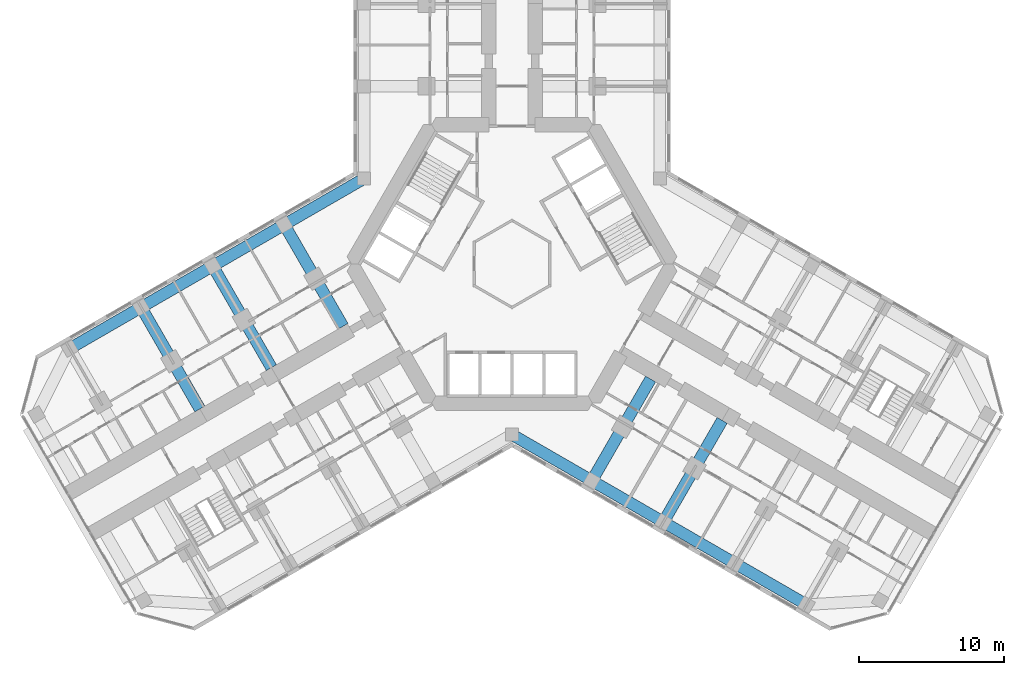
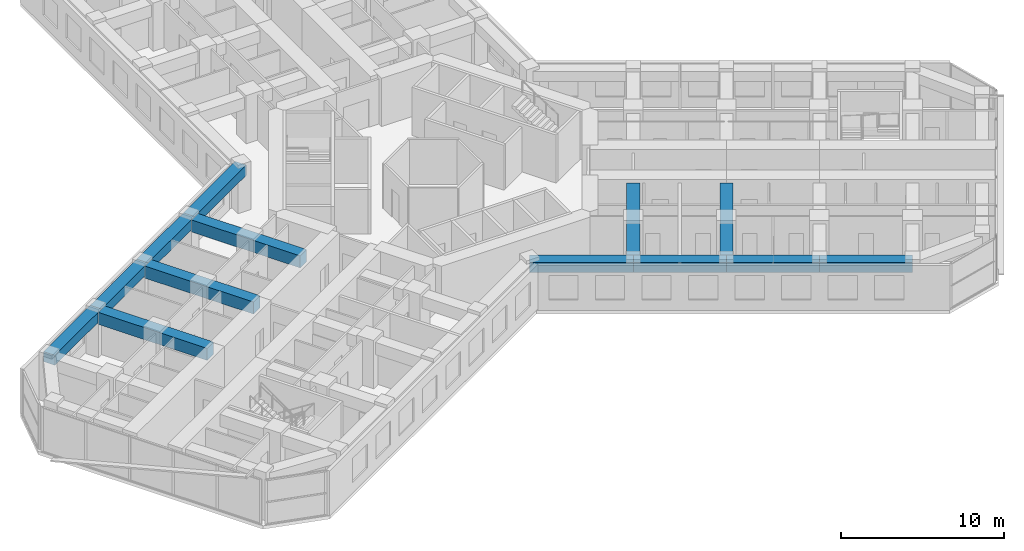
# One storey, part 4 of 21: 13 beams.
"""IFC4 building model written with IfcOpenShell, lengths in metres."""

from ifc_helpers import new_model, si_unit, direction, frame, origin, origin_2d, place, context, subcontext, project, spatial, rectangle, extrude, material, material_profile, profile_set, type_object, element, save


model = new_model("IFC4")

# Units and contexts
model_context = context("Model", 3, precision=1e-05, world=origin(), true_north=direction((0.0, 1.0)))
body_context = subcontext(model_context, "Body", "Model", "MODEL_VIEW")
ifc_project = project(units=[si_unit("LENGTHUNIT", "METRE"), si_unit("AREAUNIT", "SQUARE_METRE"), si_unit("VOLUMEUNIT", "CUBIC_METRE"), si_unit("PLANEANGLEUNIT", "RADIAN"), si_unit("MASSUNIT", "GRAM", prefix="KILO")], contexts=[model_context])

# Site, building, storey
site_placement = place(None, origin())
site = spatial("IfcSite", under=ifc_project, at=site_placement, CompositionType="ELEMENT")
building_placement = place(site_placement, origin())
building = spatial("IfcBuilding", under=site, at=building_placement, Name="Kosmar Iwan School Tower", CompositionType="ELEMENT")
storey_placement = place(building_placement, frame((0.0, 0.0, 84.39990234375)))
storey = spatial("IfcBuildingStorey", under=building, at=storey_placement, Name="L20", CompositionType="ELEMENT", Elevation=84.39990234375)

# Beams
ifc_material_1 = material(Name="Concrete C50/60", Category="concrete")
ifc_material_profile_1 = material_profile(ifc_material_1, rectangle(XDim=0.800048828125, YDim=0.75, at=origin_2d()), Name="RC 800x750")
ifc_profile_set_1 = profile_set([ifc_material_profile_1], Name="Concrete C50/60")
beam_type_1 = type_object("IfcBeamType", Name="RC edge beam 800x750", PredefinedType="BEAM", material=ifc_profile_set_1)
beam_1_placement = place(storey_placement, frame((-10.199951171875, 5.888916015625, 2.97509765625), z_axis=(-0.866030912664, -0.49999045822, 0.0), x_axis=(0.49999045822, -0.866030912664, 0.0)))
element("IfcBeam", 1, at=beam_1_placement, inside=storey, type_object=beam_type_1, Name="Edge beam BR1", PredefinedType="BEAM", context=body_context, shape_type="SweptSolid", body=[
    extrude(rectangle(XDim=0.800048828125, YDim=0.75, at=origin_2d()), origin(), (0.0, 0.0, 1.0), 6.36083984375),
])
beam_2_placement = place(storey_placement, frame((-15.708740234375, 2.70849609375, 2.97509765625), z_axis=(-0.866025820012, -0.499999279071, 0.0), x_axis=(0.499999279071, -0.866025820012, 0.0)))
element("IfcBeam", 2, at=beam_2_placement, inside=storey, type_object=beam_type_1, Name="Edge beam BR2", PredefinedType="BEAM", context=body_context, shape_type="SweptSolid", body=[
    extrude(rectangle(XDim=0.800048828125, YDim=0.75, at=origin_2d()), origin(), (0.0, 0.0, 1.0), 5.7001953125),
])
for number, where, z_axis, x_axis, name in (
    (3, (-20.645263671875, -0.1416015625, 2.97509765625), (-0.866033658841, -0.49998570155, 0.0), (0.49998570155, -0.866033658841, 0.0), "Edge beam BR3"),
    (4, (-25.58154296875, -2.991455078125, 2.97509765625), (-0.866015111908, -0.50001782563, 0.0), (0.50001782563, -0.866015111908, 0.0), "Edge beam BR4"),
):
    element("IfcBeam", number, at=place(storey_placement, frame(where, z_axis=z_axis, x_axis=x_axis)), inside=storey, type_object=beam_type_1, Name=name, PredefinedType="BEAM", context=body_context, shape_type="SweptSolid", body=[
        extrude(rectangle(XDim=0.800048828125, YDim=0.75, at=origin_2d()), origin(), (0.0, 0.0, 1.0), 5.699951171875),
    ])
beam_3_placement = place(storey_placement, frame((0.0, -11.77783203125, 2.97509765625), z_axis=(0.866014293216, -0.500019243575, 0.0), x_axis=(0.500019243575, 0.866014293216, 0.0)))
element("IfcBeam", 5, at=beam_3_placement, inside=storey, type_object=beam_type_1, Name="Edge beam CR1", PredefinedType="BEAM", context=body_context, shape_type="SweptSolid", body=[
    extrude(rectangle(XDim=0.800048828125, YDim=0.75, at=origin_2d()), origin(), (0.0, 0.0, 1.0), 6.361083984375),
])
beam_4_placement = place(storey_placement, frame((5.5087890625, -14.95849609375, 2.97509765625), z_axis=(0.866033658841, -0.49998570155, 0.0), x_axis=(0.49998570155, 0.866033658841, 0.0)))
element("IfcBeam", 6, at=beam_4_placement, inside=storey, type_object=beam_type_1, Name="Edge beam CR2", PredefinedType="BEAM", context=body_context, shape_type="SweptSolid", body=[
    extrude(rectangle(XDim=0.800048828125, YDim=0.75, at=origin_2d()), origin(), (0.0, 0.0, 1.0), 5.699951171875),
])
beam_5_placement = place(storey_placement, frame((10.445068359375, -17.808349609375, 2.97509765625), z_axis=(0.866025820012, -0.499999279071, 0.0), x_axis=(0.499999279071, 0.866025820012, 0.0)))
element("IfcBeam", 7, at=beam_5_placement, inside=storey, type_object=beam_type_1, Name="Edge beam CR3", PredefinedType="BEAM", context=body_context, shape_type="SweptSolid", body=[
    extrude(rectangle(XDim=0.800048828125, YDim=0.75, at=origin_2d()), origin(), (0.0, 0.0, 1.0), 5.7001953125),
])
beam_6_placement = place(storey_placement, frame((15.381591796875, -20.658447265625, 2.97509765625), z_axis=(0.866015111908, -0.50001782563, 0.0), x_axis=(0.50001782563, 0.866015111908, 0.0)))
element("IfcBeam", 8, at=beam_6_placement, inside=storey, type_object=beam_type_1, Name="Edge beam CR4", PredefinedType="BEAM", context=body_context, shape_type="SweptSolid", body=[
    extrude(rectangle(XDim=0.800048828125, YDim=0.75, at=origin_2d()), origin(), (0.0, 0.0, 1.0), 5.699951171875),
])
ifc_material_2 = material(Name="Concrete C50/60", Category="concrete")
ifc_material_profile_2 = material_profile(ifc_material_2, rectangle(XDim=0.800048828125, YDim=0.89990234375, at=origin_2d()), Name="RC 800x900")
ifc_profile_set_2 = profile_set([ifc_material_profile_2], Name="Concrete C50/60")
beam_type_2 = type_object("IfcBeamType", Name="RC transverse beam 800x900", PredefinedType="BEAM", material=ifc_profile_set_2)
beam_7_placement = place(storey_placement, frame((-15.708740234375, 2.70849609375, 2.900146484375), z_axis=(0.499999880539, -0.866025472755, 0.0), x_axis=(0.866025472755, 0.499999880539, 0.0)))
element("IfcBeam", 9, at=beam_7_placement, inside=storey, type_object=beam_type_2, Name="Transverse beam BR1", PredefinedType="BEAM", context=body_context, shape_type="SweptSolid", body=[
    extrude(rectangle(XDim=0.800048828125, YDim=0.89990234375, at=origin_2d()), origin(), (0.0, 0.0, 1.0), 8.10009765625),
])
beam_8_placement = place(storey_placement, frame((-20.645263671875, -0.1416015625, 2.900146484375), z_axis=(0.500012932018, -0.866017937352, 0.0), x_axis=(0.866017937352, 0.500012932018, 0.0)))
element("IfcBeam", 10, at=beam_8_placement, inside=storey, type_object=beam_type_2, Name="Transverse beam BR2", PredefinedType="BEAM", context=body_context, shape_type="SweptSolid", body=[
    extrude(rectangle(XDim=0.800048828125, YDim=0.89990234375, at=origin_2d()), origin(), (0.0, 0.0, 1.0), 8.099853515625),
])
for number, where, z_axis, x_axis, name in (
    (11, (-25.58154296875, -2.991455078125, 2.900146484375), (0.499999880539, -0.866025472755, 0.0), (0.866025472755, 0.499999880539, 0.0), "Transverse beam BR3"),
    (12, (5.5087890625, -14.95849609375, 2.900146484375), (0.499999880539, 0.866025472755, 0.0), (-0.866025472755, 0.499999880539, 0.0), "Transverse beam CR1"),
):
    element("IfcBeam", number, at=place(storey_placement, frame(where, z_axis=z_axis, x_axis=x_axis)), inside=storey, type_object=beam_type_2, Name=name, PredefinedType="BEAM", context=body_context, shape_type="SweptSolid", body=[
        extrude(rectangle(XDim=0.800048828125, YDim=0.89990234375, at=origin_2d()), origin(), (0.0, 0.0, 1.0), 8.10009765625),
    ])
beam_9_placement = place(storey_placement, frame((10.445068359375, -17.808349609375, 2.900146484375), z_axis=(0.500012932018, 0.866017937352, 0.0), x_axis=(-0.866017937352, 0.500012932018, 0.0)))
element("IfcBeam", 13, at=beam_9_placement, inside=storey, type_object=beam_type_2, Name="Transverse beam CR2", PredefinedType="BEAM", context=body_context, shape_type="SweptSolid", body=[
    extrude(rectangle(XDim=0.800048828125, YDim=0.89990234375, at=origin_2d()), origin(), (0.0, 0.0, 1.0), 8.099853515625),
])

save(model, "model.ifc")
